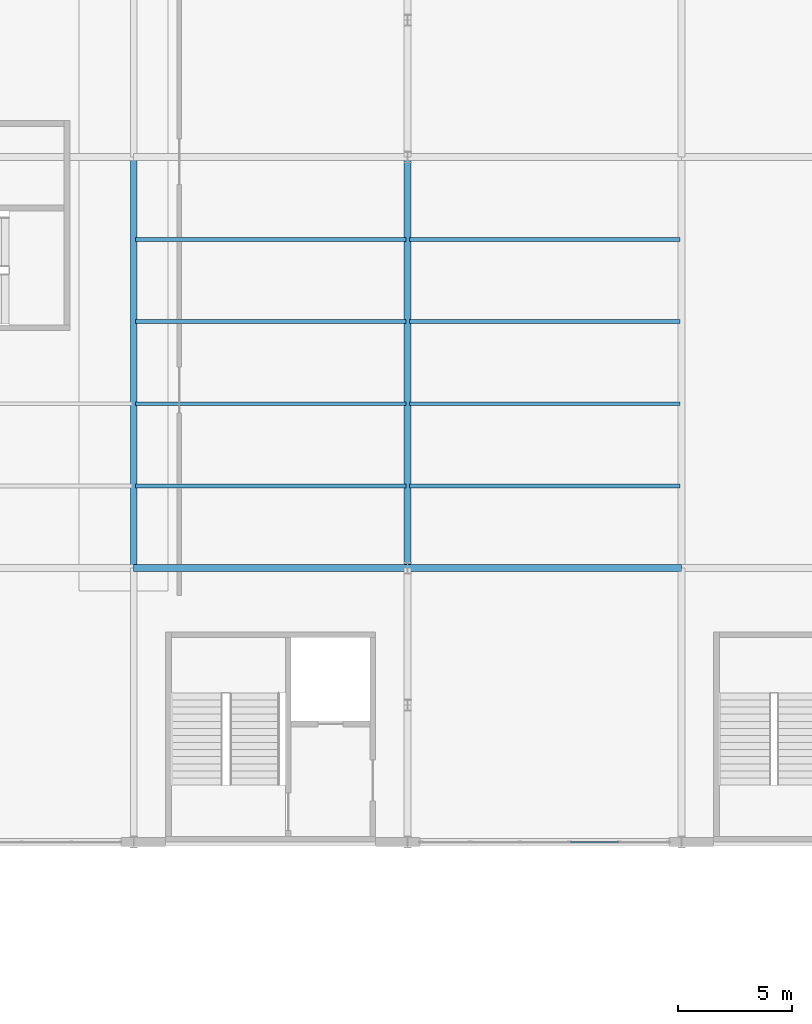
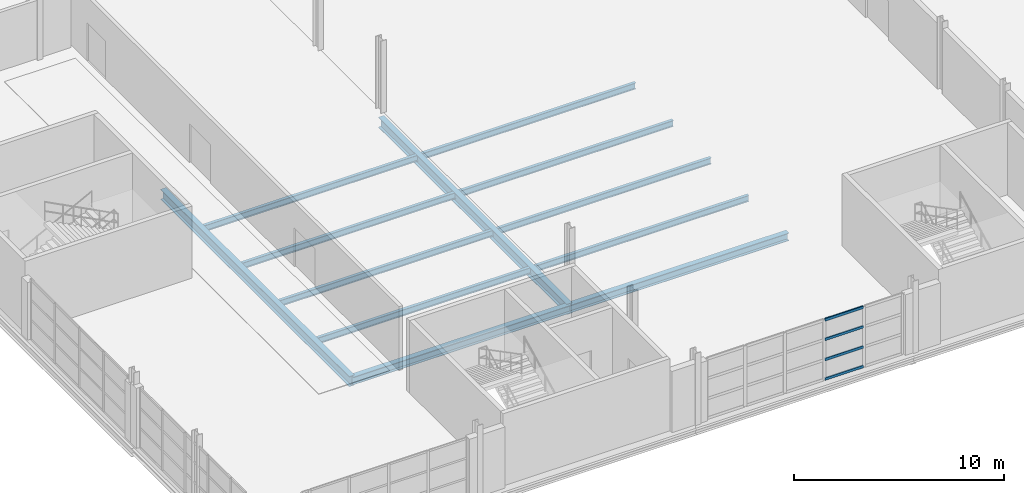
# One storey, part 36 of 158: 12 beams, 4 members, 1 element without a shape of its own.
"""IFC4 building model written with IfcOpenShell, lengths in metres."""

from ifc_helpers import new_model, si_unit, direction, frame, origin, origin_2d, place, context, subcontext, project, spatial, hollow_rectangle, i_section, extrude, material, layer, layer_set, material_profile, profile_set, type_object, element, aggregate, save


model = new_model("IFC4")

# Units and contexts
model_context = context("Model", 3, precision=1e-05, world=origin(), true_north=direction((0.0, 1.0)))
body_context = subcontext(model_context, "Body", "Model", "MODEL_VIEW")
ifc_project = project(units=[si_unit("LENGTHUNIT", "METRE"), si_unit("AREAUNIT", "SQUARE_METRE"), si_unit("VOLUMEUNIT", "CUBIC_METRE"), si_unit("PLANEANGLEUNIT", "RADIAN"), si_unit("MASSUNIT", "GRAM", prefix="KILO")], contexts=[model_context])

# Site, building, storey
site_placement = place(None, origin())
site = spatial("IfcSite", under=ifc_project, at=site_placement, CompositionType="ELEMENT")
building_placement = place(site_placement, origin())
building = spatial("IfcBuilding", under=site, at=building_placement, Name="Zilviju Railside Exhibition Hall", CompositionType="ELEMENT")
storey_placement = place(building_placement, frame((0.0, 0.0, 4.199951171875)))
storey = spatial("IfcBuildingStorey", under=building, at=storey_placement, Name="L02", CompositionType="ELEMENT", Elevation=4.199951171875)

# Beams
ifc_material_1 = material(Name="Steel S355J2", Category="steel")
ifc_material_profile_1 = material_profile(ifc_material_1, i_section(OverallWidth=0.300048828125, OverallDepth=0.449951171875, WebThickness=0.013916015625, FlangeThickness=0.02587890625, at=origin_2d()), Name="HEB 450")
ifc_profile_set_1 = profile_set([ifc_material_profile_1], Name="Steel S355J2")
beam_type_1 = type_object("IfcBeamType", Name="BM-HEB450", PredefinedType="BEAM", material=ifc_profile_set_1)
for number, where, z_axis, x_axis, name in (
    (1, (12.0, 48.0, -0.5849609375), (1.0, 0.0, 0.0), (0.0, 1.0, 0.0), "Primary Girder L02 Y=48.0 (12.0..24.0)"),
    (2, (24.0, 48.0, -0.5849609375), (1.0, 0.0, 0.0), (0.0, 1.0, 0.0), "Primary Girder L02 Y=48.0 (24.0..36.0)"),
):
    element("IfcBeam", number, at=place(storey_placement, frame(where, z_axis=z_axis, x_axis=x_axis)), inside=storey, type_object=beam_type_1, Name=name, PredefinedType="BEAM", context=body_context, shape_type="SweptSolid", body=[
        extrude(i_section(OverallWidth=0.300048828125, OverallDepth=0.449951171875, WebThickness=0.013916015625, FlangeThickness=0.02587890625, at=origin_2d()), origin(), (0.0, 0.0, 1.0), 12.0),
    ])
ifc_material_profile_2 = material_profile(ifc_material_1, i_section(OverallWidth=0.300048828125, OverallDepth=0.60009765625, WebThickness=0.015380859375, FlangeThickness=0.030029296875, at=origin_2d()), Name="HEB 600")
ifc_profile_set_2 = profile_set([ifc_material_profile_2], Name="Steel S355J2")
beam_type_2 = type_object("IfcBeamType", Name="BM-HEB600", PredefinedType="BEAM", material=ifc_profile_set_2)
for number, where, z_axis, x_axis, name in (
    (3, (12.0, 48.0, -0.659912109375), (0.0, 1.0, 0.0), (-1.0, 0.0, 0.0), "Transverse Girder L02 X=12.0 (48.0..66.0)"),
    (4, (24.0, 48.0, -0.659912109375), (0.0, 1.0, 0.0), (-1.0, 0.0, 0.0), "Transverse Girder L02 X=24.0 (48.0..66.0)"),
):
    element("IfcBeam", number, at=place(storey_placement, frame(where, z_axis=z_axis, x_axis=x_axis)), inside=storey, type_object=beam_type_2, Name=name, PredefinedType="BEAM", context=body_context, shape_type="SweptSolid", body=[
        extrude(i_section(OverallWidth=0.300048828125, OverallDepth=0.60009765625, WebThickness=0.015380859375, FlangeThickness=0.030029296875, at=origin_2d()), origin(), (0.0, 0.0, 1.0), 18.0),
    ])
ifc_material_profile_3 = material_profile(ifc_material_1, i_section(OverallWidth=0.169921875, OverallDepth=0.360107421875, WebThickness=0.008056640625, FlangeThickness=0.0126953125, at=origin_2d()), Name="IPE 360")
ifc_profile_set_3 = profile_set([ifc_material_profile_3], Name="Steel S355J2")
beam_type_3 = type_object("IfcBeamType", Name="BM-IPE360", PredefinedType="JOIST", material=ifc_profile_set_3)
for number, where, z_axis, x_axis, name in (
    (5, (12.080078125, 51.60009765625, -0.5400390625), (1.0, 0.0, 0.0), (0.0, 1.0, 0.0), "Composite Floor Joist L02 Y=51.60 (12.0..24.0)"),
    (6, (12.080078125, 55.199951171875, -0.5400390625), (1.0, 0.0, 0.0), (0.0, 1.0, 0.0), "Composite Floor Joist L02 Y=55.20 (12.0..24.0)"),
    (7, (12.080078125, 58.800048828125, -0.5400390625), (1.0, 0.0, 0.0), (0.0, 1.0, 0.0), "Composite Floor Joist L02 Y=58.80 (12.0..24.0)"),
    (8, (12.080078125, 62.39990234375, -0.5400390625), (1.0, 0.0, 0.0), (0.0, 1.0, 0.0), "Composite Floor Joist L02 Y=62.40 (12.0..24.0)"),
    (9, (24.080078125, 51.60009765625, -0.5400390625), (1.0, 0.0, 0.0), (0.0, 1.0, 0.0), "Composite Floor Joist L02 Y=51.60 (24.0..36.0)"),
    (10, (24.080078125, 55.199951171875, -0.5400390625), (1.0, 0.0, 0.0), (0.0, 1.0, 0.0), "Composite Floor Joist L02 Y=55.20 (24.0..36.0)"),
    (11, (24.080078125, 58.800048828125, -0.5400390625), (1.0, 0.0, 0.0), (0.0, 1.0, 0.0), "Composite Floor Joist L02 Y=58.80 (24.0..36.0)"),
    (12, (24.080078125, 62.39990234375, -0.5400390625), (1.0, 0.0, 0.0), (0.0, 1.0, 0.0), "Composite Floor Joist L02 Y=62.40 (24.0..36.0)"),
):
    element("IfcBeam", number, at=place(storey_placement, frame(where, z_axis=z_axis, x_axis=x_axis)), inside=storey, type_object=beam_type_3, Name=name, PredefinedType="JOIST", context=body_context, shape_type="SweptSolid", body=[
        extrude(i_section(OverallWidth=0.169921875, OverallDepth=0.360107421875, WebThickness=0.008056640625, FlangeThickness=0.0126953125, at=origin_2d()), origin(), (0.0, 0.0, 1.0), 11.83984375),
    ])

# Curtain wall, members
ifc_material_2 = material(Name="Thermally broken aluminium-steel triple-glazed curtain wall", Category="steel")
ifc_layer = layer(ifc_material_2, 0.179931640625)
ifc_layer_set = layer_set([ifc_layer], Name="Thermally broken aluminium-steel triple-glazed curtain wall")
curtain_wall_type = type_object("IfcCurtainWallType", Name="CW-BAY-17", PredefinedType="USERDEFINED", material=ifc_layer_set)
curtain_wall_placement = place(storey_placement, origin())
curtain_wall = element("IfcCurtainWall", 13, at=curtain_wall_placement, inside=storey, type_object=curtain_wall_type, Name="Congress Forecourt Curtain Wall L02 (24..36)", ObjectType="GLAZED CURTAIN WALL", PredefinedType="USERDEFINED")
ifc_material_3 = material(Name="Thermally broken anodized aluminium transom", Category="aluminium")
ifc_material_profile_4 = material_profile(ifc_material_3, hollow_rectangle(XDim=0.070068359375, YDim=0.14990234375, WallThickness=0.0048828125, at=origin_2d()), Name="TRANSOM 150x70x5")
ifc_profile_set_4 = profile_set([ifc_material_profile_4], Name="Thermally broken anodized aluminium transom")
member_type = type_object("IfcMemberType", Name="CWT-70x150", PredefinedType="USERDEFINED", material=ifc_profile_set_4)
member_1_placement = place(storey_placement, frame((33.235107421875, 36.0, 0.03515625), z_axis=(-1.0, 0.0, 0.0), x_axis=(0.0, -1.0, 0.0)))
member_1 = element("IfcMember", 14, at=member_1_placement, type_object=member_type, Name="CW-17 transom 2.1", ObjectType="TRANSOM", PredefinedType="USERDEFINED", context=body_context, shape_type="SweptSolid", body=[
    extrude(hollow_rectangle(XDim=0.070068359375, YDim=0.14990234375, WallThickness=0.0048828125, at=origin_2d()), origin(), (0.0, 0.0, 1.0), 2.110107421875),
])
member_2_placement = place(storey_placement, frame((33.235107421875, 36.0, 1.173095703125), z_axis=(-1.0, 0.0, 0.0), x_axis=(0.0, -1.0, 0.0)))
member_2 = element("IfcMember", 15, at=member_2_placement, type_object=member_type, Name="CW-17 transom 2.2", ObjectType="TRANSOM", PredefinedType="USERDEFINED", context=body_context, shape_type="SweptSolid", body=[
    extrude(hollow_rectangle(XDim=0.070068359375, YDim=0.14990234375, WallThickness=0.0048828125, at=origin_2d()), origin(), (0.0, 0.0, 1.0), 2.110107421875),
])
member_3_placement = place(storey_placement, frame((33.235107421875, 36.0, 2.34716796875), z_axis=(-1.0, 0.0, 0.0), x_axis=(0.0, -1.0, 0.0)))
member_3 = element("IfcMember", 16, at=member_3_placement, type_object=member_type, Name="CW-17 transom 2.3", ObjectType="TRANSOM", PredefinedType="USERDEFINED", context=body_context, shape_type="SweptSolid", body=[
    extrude(hollow_rectangle(XDim=0.070068359375, YDim=0.14990234375, WallThickness=0.0048828125, at=origin_2d()), origin(), (0.0, 0.0, 1.0), 2.110107421875),
])
member_4_placement = place(storey_placement, frame((33.235107421875, 36.0, 3.485107421875), z_axis=(-1.0, 0.0, 0.0), x_axis=(0.0, -1.0, 0.0)))
member_4 = element("IfcMember", 17, at=member_4_placement, type_object=member_type, Name="CW-17 transom 2.4", ObjectType="TRANSOM", PredefinedType="USERDEFINED", context=body_context, shape_type="SweptSolid", body=[
    extrude(hollow_rectangle(XDim=0.070068359375, YDim=0.14990234375, WallThickness=0.0048828125, at=origin_2d()), origin(), (0.0, 0.0, 1.0), 2.110107421875),
])
aggregate(curtain_wall, [member_1, member_2, member_3, member_4])

save(model, "model.ifc")
